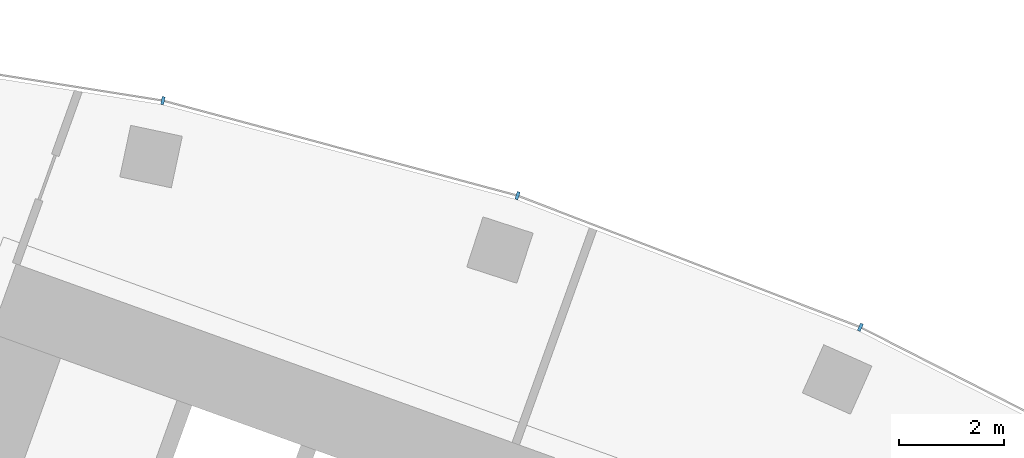
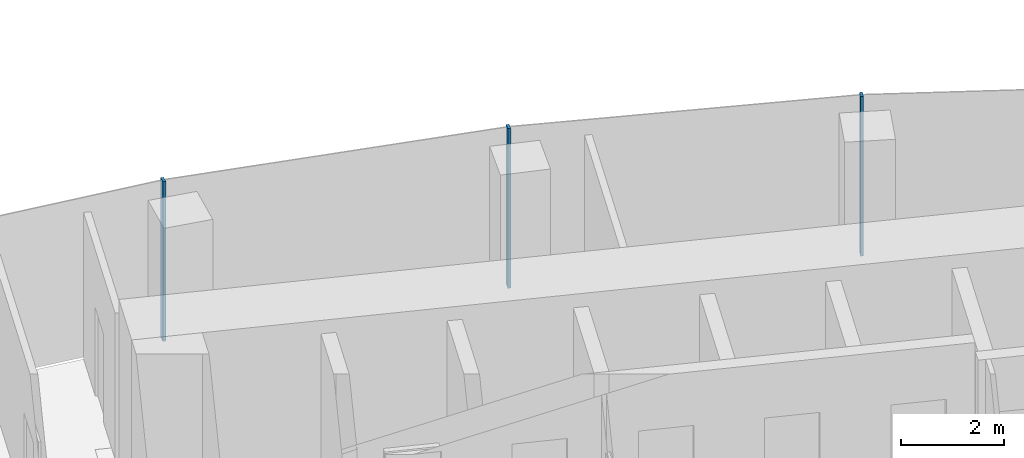
# One storey, part 10 of 20: 3 members, 1 element without a shape of its own.
"""IFC4 building model written with IfcOpenShell, lengths in metres."""

from ifc_helpers import new_model, si_unit, direction, frame, origin, origin_2d, place, context, subcontext, project, spatial, rectangle, extrude, material, layer, layer_set, material_profile, profile_set, type_object, element, aggregate, save


model = new_model("IFC4")

# Units and contexts
model_context = context("Model", 3, precision=1e-05, world=origin(), true_north=direction((0.0, 1.0)))
body_context = subcontext(model_context, "Body", "Model", "MODEL_VIEW")
ifc_project = project(units=[si_unit("LENGTHUNIT", "METRE"), si_unit("AREAUNIT", "SQUARE_METRE"), si_unit("VOLUMEUNIT", "CUBIC_METRE"), si_unit("PLANEANGLEUNIT", "RADIAN"), si_unit("MASSUNIT", "GRAM", prefix="KILO")], contexts=[model_context])

# Site, building, storey
site_placement = place(None, origin())
site = spatial("IfcSite", under=ifc_project, at=site_placement, CompositionType="ELEMENT")
building_placement = place(site_placement, origin())
building = spatial("IfcBuilding", under=site, at=building_placement, Name="Stone Belt Terrace Tower", CompositionType="ELEMENT")
storey_placement = place(building_placement, frame((0.0, 0.0, 182.0)))
storey = spatial("IfcBuildingStorey", under=building, at=storey_placement, Name="L44", CompositionType="ELEMENT", Elevation=182.0)

# Curtain wall, members
ifc_material = material(Name="Aluminium 6063-T6 anodised frame", Category="aluminium")
ifc_layer = layer(ifc_material, 0.14990234375)
ifc_layer_set = layer_set([ifc_layer], Name="CW-A unitised convex-face curtain wall")
curtain_wall_type = type_object("IfcCurtainWallType", Name="CW-A unitised convex-face curtain wall", PredefinedType="NOTDEFINED", material=ifc_layer_set)
curtain_wall_placement = place(storey_placement, origin())
curtain_wall = element("IfcCurtainWall", 1, at=curtain_wall_placement, inside=storey, type_object=curtain_wall_type, Name="CW-A convex face L44", PredefinedType="NOTDEFINED")
ifc_material_profile = material_profile(ifc_material, rectangle(XDim=0.14990234375, YDim=0.06005859375, at=origin_2d()), Name="Aluminium 6063-T6 60x150")
ifc_profile_set = profile_set([ifc_material_profile], Name="Aluminium 6063-T6 anodised frame")
member_type = type_object("IfcMemberType", Name="CW-A mullion 60 x 150", PredefinedType="MULLION", material=ifc_profile_set)
member_1_placement = place(storey_placement, frame((27.07861328125, 60.8193359375, 0.0), z_axis=(0.0, 0.0, 1.0), x_axis=(-0.406736643076, -0.913545457643, 0.0)))
member_1 = element("IfcMember", 2, at=member_1_placement, type_object=member_type, Name="CW-A mullion 4", PredefinedType="MULLION", context=body_context, shape_type="SweptSolid", body=[
    extrude(rectangle(XDim=0.14990234375, YDim=0.06005859375, at=origin_2d()), origin(), (0.0, 0.0, 1.0), 3.800048828125),
])
member_2_placement = place(storey_placement, frame((20.57275390625, 63.316650390625, 0.0), z_axis=(0.0, 0.0, 1.0), x_axis=(-0.309016994375, -0.951056516295, 0.0)))
member_2 = element("IfcMember", 3, at=member_2_placement, type_object=member_type, Name="CW-A mullion 5", PredefinedType="MULLION", context=body_context, shape_type="SweptSolid", body=[
    extrude(rectangle(XDim=0.14990234375, YDim=0.06005859375, at=origin_2d()), origin(), (0.0, 0.0, 1.0), 3.800048828125),
])
member_3_placement = place(storey_placement, frame((13.841796875, 65.120361328125, 0.0), z_axis=(0.0, 0.0, 1.0), x_axis=(-0.207911690818, -0.978147600734, 0.0)))
member_3 = element("IfcMember", 4, at=member_3_placement, type_object=member_type, Name="CW-A mullion 6", PredefinedType="MULLION", context=body_context, shape_type="SweptSolid", body=[
    extrude(rectangle(XDim=0.14990234375, YDim=0.06005859375, at=origin_2d()), origin(), (0.0, 0.0, 1.0), 3.800048828125),
])
aggregate(curtain_wall, [member_1, member_2, member_3])

save(model, "model.ifc")
